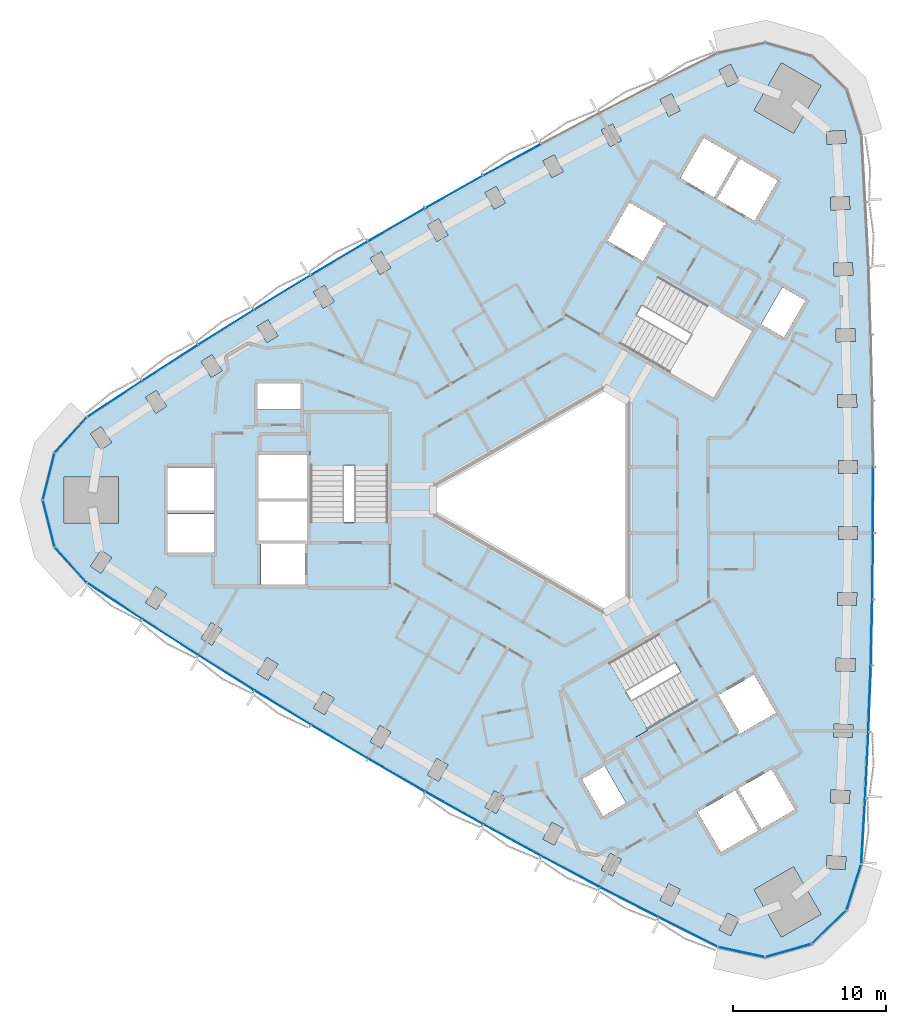
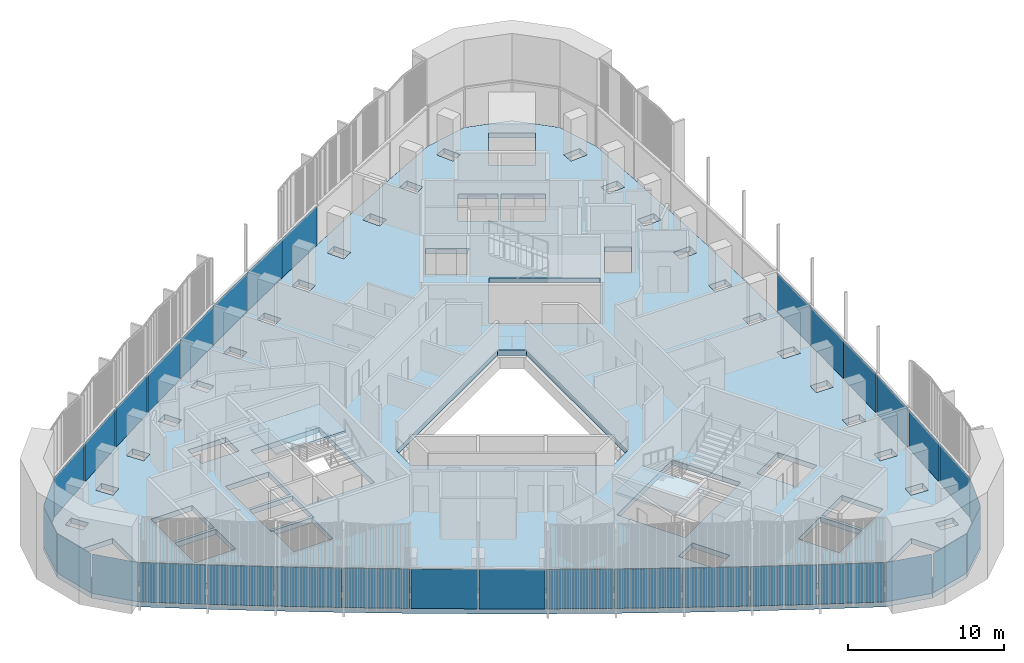
# One storey, part 6 of 15: 33 plates, 3 slabs, 5 elements without a shape of their own.
"""IFC4 building model written with IfcOpenShell, lengths in metres."""

import ifcopenshell
import ifcopenshell.guid

model = None  # the IFC model being written
_history = None  # IfcOwnerHistory: only IFC2X3 demands one
_inside = {}  # id of a spatial element -> (the spatial element, [elements in it])
_under = {}  # id of a project, library or spatial element -> (it, [spatial elements below it])
_declared = {}  # id of a project -> (the project, [libraries it declares])
_typed = {}  # id of a type object -> (the type object, [elements of that type])
_made_of = {}  # id of a material, layer set ... -> (it, [elements and type objects made of it])


def new_model(schema):
    """Start an empty IFC model of exactly this schema.

    Asked for "IFC4X3", IfcOpenShell would pick the latest addendum, in which some entities
    have other attributes; the version numbers below select the first issue.
    IFC2X3 requires an IfcOwnerHistory on every rooted entity: one is made here for all.
    """
    global model, _history
    if schema == "IFC4X3":
        model = ifcopenshell.file(schema_version=(4, 3, 0, 0))
    else:
        model = ifcopenshell.file(schema=schema)
    _inside.clear()
    _under.clear()
    _declared.clear()
    _typed.clear()
    _made_of.clear()
    _history = None
    if model.schema == "IFC2X3":
        org = make("IfcOrganization", Name="unknown")
        user = make(
            "IfcPersonAndOrganization",
            ThePerson=make("IfcPerson", FamilyName="unknown"),
            TheOrganization=org,
        )
        app = make(
            "IfcApplication",
            ApplicationDeveloper=org,
            Version="unknown",
            ApplicationFullName="unknown",
            ApplicationIdentifier="unknown",
        )
        _history = make(
            "IfcOwnerHistory",
            OwningUser=user,
            OwningApplication=app,
            ChangeAction="ADDED",
            CreationDate=0,
        )
    return model


def make(cls, **values):
    """One entity of the class cls with the attributes given. An attribute that is None is left unset."""
    return model.create_entity(
        cls, **{name: value for name, value in values.items() if value is not None}
    )


def rooted(cls, **values):
    """An entity with a GlobalId (a new one), such as an element, a storey or a relation."""
    return make(cls, GlobalId=ifcopenshell.guid.new(), OwnerHistory=_history, **values)


def si_unit(unit_type, name, prefix=None):
    """IfcSIUnit, for example si_unit("LENGTHUNIT", "METRE", prefix="MILLI")."""
    return make("IfcSIUnit", UnitType=unit_type, Prefix=prefix, Name=name)


def assignment(units):
    """IfcUnitAssignment: the units of a project."""
    return None if units is None else make("IfcUnitAssignment", Units=units)


def point(xyz):
    """IfcCartesianPoint."""
    return None if xyz is None else make("IfcCartesianPoint", Coordinates=xyz)


def direction(xyz):
    """IfcDirection."""
    return None if xyz is None else make("IfcDirection", DirectionRatios=xyz)


def frame(location, z_axis=None, x_axis=None):
    """IfcAxis2Placement3D, a coordinate frame: its origin and axes. An axis left out is left unset."""
    return make(
        "IfcAxis2Placement3D",
        Location=point(location),
        Axis=direction(z_axis),
        RefDirection=direction(x_axis),
    )


def frame_2d(location, x_axis=None):
    """IfcAxis2Placement2D, a coordinate frame in the plane: its origin and x axis."""
    return make(
        "IfcAxis2Placement2D", Location=point(location), RefDirection=direction(x_axis)
    )


def origin():
    """The frame at (0, 0, 0) with its axes left unset."""
    return frame((0.0, 0.0, 0.0))


def origin_2d():
    """The frame at (0, 0) in the plane with its x axis left unset."""
    return frame_2d((0.0, 0.0))


def place(relative_to, where):
    """IfcLocalPlacement: puts the frame where relative to a parent placement (None: the world)."""
    return make(
        "IfcLocalPlacement", PlacementRelTo=relative_to, RelativePlacement=where
    )


def context(
    kind, dimensions, precision=None, world=None, true_north=None, identifier=None
):
    """IfcGeometricRepresentationContext, for example the 3D "Model" context."""
    return make(
        "IfcGeometricRepresentationContext",
        ContextIdentifier=identifier,
        ContextType=kind,
        CoordinateSpaceDimension=dimensions,
        Precision=precision,
        WorldCoordinateSystem=world,
        TrueNorth=true_north,
    )


def subcontext(parent, identifier, kind, view, scale=None):
    """IfcGeometricRepresentationSubContext, for example "Body" below "Model"."""
    return make(
        "IfcGeometricRepresentationSubContext",
        ContextIdentifier=identifier,
        ContextType=kind,
        ParentContext=parent,
        TargetScale=scale,
        TargetView=view,
    )


def project(units=None, contexts=None):
    """IfcProject with its units and contexts."""
    return rooted(
        "IfcProject",
        Name="project",
        RepresentationContexts=contexts,
        UnitsInContext=assignment(units),
    )


def spatial(cls, under=None, at=None, **own):
    """A site, building, storey or space (cls), placed at a placement, below another one or the project."""
    s = rooted(cls, ObjectPlacement=at, **own)
    if under is not None:
        _under.setdefault(under.id(), (under, []))[1].append(s)
    return s


def polyline(points):
    """IfcPolyline through the points."""
    return make("IfcPolyline", Points=[point(p) for p in points])


def profile(cls, at=None, kind="AREA", **sizes):
    """A parametric profile (cls). Its sizes go by their IFC names, for example OverallWidth=200.0."""
    return make(cls, ProfileType=kind, Position=at, **sizes)


def rectangle(**sizes):
    """IfcRectangleProfileDef."""
    return profile("IfcRectangleProfileDef", **sizes)


def outline(outer, holes=None, kind="AREA"):
    """IfcArbitraryClosedProfileDef: a profile drawn as a closed curve; with holes, ...WithVoids."""
    if holes is None:
        return make("IfcArbitraryClosedProfileDef", ProfileType=kind, OuterCurve=outer)
    return make(
        "IfcArbitraryProfileDefWithVoids",
        ProfileType=kind,
        OuterCurve=outer,
        InnerCurves=holes,
    )


def extrude(swept, where, along, depth):
    """IfcExtrudedAreaSolid: the profile swept, set in the frame where, extruded along a direction by depth."""
    return make(
        "IfcExtrudedAreaSolid",
        SweptArea=swept,
        Position=where,
        ExtrudedDirection=direction(along),
        Depth=depth,
    )


def shape(context_of_items, identifier, shape_type, items):
    """IfcShapeRepresentation: the items that make up one representation, for example the "Body"."""
    return make(
        "IfcShapeRepresentation",
        ContextOfItems=context_of_items,
        RepresentationIdentifier=identifier,
        RepresentationType=shape_type,
        Items=items,
    )


def material(Name=None, Category=None):
    """IfcMaterial."""
    return make("IfcMaterial", Name=Name, Category=Category)


def layer(
    of_material, thickness, ventilated=None, Name=None, Category=None, Priority=None
):
    """IfcMaterialLayer: one layer of a wall or slab, of a material (None: an air gap)."""
    return make(
        "IfcMaterialLayer",
        Material=of_material,
        LayerThickness=thickness,
        IsVentilated=ventilated,
        Name=Name,
        Category=Category,
        Priority=Priority,
    )


def layer_set(layers, Name=None):
    """IfcMaterialLayerSet."""
    return make("IfcMaterialLayerSet", MaterialLayers=layers, LayerSetName=Name)


def made_of(thing, what):
    """Note that an element or type object is made of a material, layer set ...; save() writes the relation."""
    if what is not None:
        _made_of.setdefault(what.id(), (what, []))[1].append(thing)
    return thing


def type_object(cls, material=None, **own):
    """A type object (cls), such as IfcWallType, which elements share."""
    return made_of(rooted(cls, **own), material)


def element(
    cls,
    number,
    at=None,
    inside=None,
    cuts=None,
    type_object=None,
    material=None,
    context=None,
    identifier="Body",
    shape_type=None,
    held_by="IfcProductDefinitionShape",
    body=None,
    shapes=None,
    **own,
):
    """One element of the class cls, such as IfcWall. Its Tag is "e" and its number.

    at: its placement. inside: the storey or other place that contains it. cuts: it is an
    opening in that element (IfcRelVoidsElement). A single representation is given by context,
    identifier, shape_type and body (its items); several are given by shapes. held_by: the class
    of the entity that holds the representations. save() writes the other relations.
    """
    e = rooted(cls, Tag="e%d" % number, ObjectPlacement=at, **own)
    if body is not None:
        shapes = [shape(context, identifier, shape_type, body)]
    if shapes is not None:
        e.Representation = make(held_by, Representations=shapes)
    if inside is not None:
        _inside.setdefault(inside.id(), (inside, []))[1].append(e)
    if cuts is not None:
        rooted(
            "IfcRelVoidsElement", RelatingBuildingElement=cuts, RelatedOpeningElement=e
        )
    if type_object is not None:
        _typed.setdefault(type_object.id(), (type_object, []))[1].append(e)
    return made_of(e, material)


def aggregate(whole, parts):
    """IfcRelAggregates: a whole, such as a stair, and the parts it consists of."""
    return rooted("IfcRelAggregates", RelatingObject=whole, RelatedObjects=parts)


def save(model, path):
    """Write the relations noted so far, then the file.

    IfcRelAggregates (storeys below a building ...), IfcRelContainedInSpatialStructure (elements
    in a storey), IfcRelDefinesByType, IfcRelAssociatesMaterial and IfcRelDeclares: one each for
    every whole, place, type object, material and project.
    """
    for whole, parts in _under.values():
        aggregate(whole, parts)
    for where, things in _inside.values():
        rooted(
            "IfcRelContainedInSpatialStructure",
            RelatedElements=things,
            RelatingStructure=where,
        )
    for kind, things in _typed.values():
        rooted("IfcRelDefinesByType", RelatedObjects=things, RelatingType=kind)
    for what, things in _made_of.values():
        rooted("IfcRelAssociatesMaterial", RelatedObjects=things, RelatingMaterial=what)
    for by, libraries in _declared.values():
        rooted("IfcRelDeclares", RelatingContext=by, RelatedDefinitions=libraries)
    model.write(path)


model = new_model("IFC4")

# Units and contexts
model_context = context("Model", 3, precision=1e-05, world=origin(), true_north=direction((0.0, 1.0)))
body_context = subcontext(model_context, "Body", "Model", "MODEL_VIEW")
ifc_project = project(units=[si_unit("LENGTHUNIT", "METRE"), si_unit("AREAUNIT", "SQUARE_METRE"), si_unit("VOLUMEUNIT", "CUBIC_METRE"), si_unit("PLANEANGLEUNIT", "RADIAN"), si_unit("MASSUNIT", "GRAM", prefix="KILO")], contexts=[model_context])

# Site, building, storey
site_placement = place(None, origin())
site = spatial("IfcSite", under=ifc_project, at=site_placement, CompositionType="ELEMENT")
building_placement = place(site_placement, origin())
building = spatial("IfcBuilding", under=site, at=building_placement, Name="Tamra Quay Hotel Tower", CompositionType="ELEMENT")
storey_placement = place(building_placement, frame((0.0, 0.0, 157.60009765625)))
storey = spatial("IfcBuildingStorey", under=building, at=storey_placement, Name="L39", CompositionType="ELEMENT", Elevation=157.60009765625)

# Stair, slab
ifc_material_1 = material(Name="Exit stair 2200 24 risers 150.0 going 342")
stair_type = type_object("IfcStairType", Name="Exit stair 2200 24 risers 150.0 going 342", PredefinedType="HALF_TURN_STAIR", material=ifc_material_1)
stair_1_placement = place(storey_placement, origin())
stair_1 = element("IfcStair", 1, at=stair_1_placement, inside=storey, type_object=stair_type, Name="L39 Exit stair ST3", PredefinedType="HALF_TURN_STAIR")
ifc_material_2 = material(Name="Concrete M70", Category="concrete")
ifc_layer_1 = layer(ifc_material_2, 0.175048828125)
ifc_layer_set_1 = layer_set([ifc_layer_1], Name="Concrete M70 stair landing 180")
slab_type_1 = type_object("IfcSlabType", Name="Concrete M70 stair landing 180", PredefinedType="LANDING", material=ifc_layer_set_1)
slab_1_placement = place(storey_placement, frame((0.0, 0.0, 1.625)))
slab_1 = element("IfcSlab", 2, at=slab_1_placement, type_object=slab_type_1, Name="ST3 landing 1", PredefinedType="LANDING", context=body_context, shape_type="SweptSolid", body=[
    extrude(outline(polyline([(-10.932373046875, 2.261962890625), (-10.932373046875, 5.679931640625), (-16.09130859375, 5.679931640625), (-16.09130859375, 2.261962890625), (-10.932373046875, 2.261962890625)])), origin(), (0.0, 0.0, 1.0), 0.1748046875),
])
aggregate(stair_1, [slab_1])

stair_2_placement = place(storey_placement, origin())
stair_2 = element("IfcStair", 3, at=stair_2_placement, inside=storey, type_object=stair_type, Name="L39 Exit stair ST2", PredefinedType="HALF_TURN_STAIR")
slab_2_placement = place(storey_placement, frame((0.0, 0.0, 1.625)))
slab_2 = element("IfcSlab", 4, at=slab_2_placement, type_object=slab_type_1, Name="ST2 landing 1", PredefinedType="LANDING", context=body_context, shape_type="SweptSolid", body=[
    extrude(outline(polyline([(3.50732421875, -10.5986328125), (0.547119140625, -12.3076171875), (3.126708984375, -16.775390625), (6.086669921875, -15.06640625), (3.50732421875, -10.5986328125)])), origin(), (0.0, 0.0, 1.0), 0.1748046875),
])
aggregate(stair_2, [slab_2])

# Slab
ifc_material_3 = material(Name="Concrete M60", Category="concrete")
ifc_layer_2 = layer(ifc_material_3, 0.39990234375)
ifc_layer_set_2 = layer_set([ifc_layer_2], Name="FLOOR SLAB PT 400")
slab_type_2 = type_object("IfcSlabType", Name="FLOOR SLAB PT 400", PredefinedType="FLOOR", material=ifc_layer_set_2)
slab_3_placement = place(storey_placement, frame((0.0, 0.0, -0.400146484375)))
element("IfcSlab", 5, at=slab_3_placement, inside=storey, type_object=slab_type_2, Name="SLAB-L39", PredefinedType="FLOOR", context=body_context, shape_type="SweptSolid", body=[
    extrude(outline(polyline([(20.301025390625, 19.53076171875), (20.50830078125, 15.19384765625), (20.6640625, 10.85400390625), (20.767822265625, 6.5126953125), (20.81982421875, 2.17138671875), (20.81982421875, -2.17138671875), (20.767822265625, -6.5126953125), (20.6640625, -10.85400390625), (20.50830078125, -15.19384765625), (20.301025390625, -19.53076171875), (20.0419921875, -23.864990234375), (19.072265625, -26.883544921875), (16.794189453125, -29.088134765625), (13.74560546875, -29.958740234375), (10.646728515625, -29.28955078125), (6.763427734375, -27.3466796875), (2.904052734375, -25.35791015625), (-0.93212890625, -23.32275390625), (-4.74365234375, -21.24169921875), (-8.529541015625, -19.1162109375), (-12.290283203125, -16.94482421875), (-16.024169921875, -14.72900390625), (-19.73193359375, -12.468505859375), (-23.41259765625, -10.163818359375), (-27.064697265625, -7.81591796875), (-30.688720703125, -5.42431640625), (-32.81787109375, -3.0751953125), (-33.588134765625, 0.0), (-32.81787109375, 3.0751953125), (-30.688720703125, 5.42431640625), (-27.064697265625, 7.81591796875), (-23.41259765625, 10.163818359375), (-19.73193359375, 12.468505859375), (-16.024169921875, 14.72900390625), (-12.290283203125, 16.94482421875), (-8.529541015625, 19.1162109375), (-4.74365234375, 21.24169921875), (-0.93212890625, 23.32275390625), (2.904052734375, 25.35791015625), (6.763427734375, 27.3466796875), (10.646728515625, 29.28955078125), (13.74560546875, 29.958740234375), (16.794189453125, 29.088134765625), (19.072265625, 26.883544921875), (20.0419921875, 23.864990234375), (20.301025390625, 19.53076171875)]), holes=[polyline([(-12.1396484375, -15.846435546875), (-11.406005859375, -16.27587890625), (-10.7744140625, -15.197265625), (-11.5078125, -14.767578125), (-12.1396484375, -15.846435546875)]), polyline([(-15.216796875, -12.561279296875), (-15.86083984375, -13.632568359375), (-15.13232421875, -14.0703125), (-14.48828125, -12.9990234375), (-15.216796875, -12.561279296875)]), polyline([(-18.898193359375, -10.310791015625), (-19.55517578125, -11.3740234375), (-18.83203125, -11.82080078125), (-18.175048828125, -10.757568359375), (-18.898193359375, -10.310791015625)]), polyline([(-22.55224609375, -8.016357421875), (-23.222412109375, -9.071533203125), (-22.5048828125, -9.527099609375), (-21.834716796875, -8.471923828125), (-22.55224609375, -8.016357421875)]), polyline([(-26.179931640625, -5.678466796875), (-26.862060546875, -6.725830078125), (-26.149658203125, -7.189697265625), (-25.467529296875, -6.142333984375), (-26.179931640625, -5.678466796875)]), polyline([(-16.3173828125, -2.85498046875), (-19.4072265625, -2.85498046875), (-19.4072265625, -2.89306640625), (-19.307373046875, -2.89306640625), (-19.307373046875, -5.544921875), (-16.417236328125, -5.544921875), (-16.417236328125, -2.89306640625), (-16.3173828125, -2.89306640625), (-16.3173828125, -2.85498046875)]), polyline([(-29.77880859375, -3.297607421875), (-30.473388671875, -4.3369140625), (-29.7666015625, -4.80908203125), (-29.072021484375, -3.77001953125), (-29.77880859375, -3.297607421875)]), polyline([(-22.3671875, -0.905029296875), (-25.4072265625, -0.905029296875), (-25.4072265625, -3.445068359375), (-22.3671875, -3.445068359375), (-22.3671875, -0.905029296875)]), polyline([(-19.417236328125, -2.89306640625), (-19.417236328125, -2.64501953125), (-16.307373046875, -2.64501953125), (-16.307373046875, -2.89306640625), (-16.26708984375, -2.89306640625), (-16.26708984375, -0.10498046875), (-19.45751953125, -0.10498046875), (-19.45751953125, -2.89306640625), (-19.417236328125, -2.89306640625)]), polyline([(-28.6142578125, 1.5), (-32.214111328125, 1.5), (-32.214111328125, -1.5), (-28.6142578125, -1.5), (-28.6142578125, 1.5)]), polyline([(-25.4072265625, -0.695068359375), (-22.3671875, -0.695068359375), (-22.3671875, 2.14501953125), (-25.4072265625, 2.14501953125), (-25.4072265625, -0.695068359375)]), polyline([(-19.45751953125, 0.10498046875), (-16.26708984375, 0.10498046875), (-16.26708984375, 2.945068359375), (-19.45751953125, 2.945068359375), (-19.45751953125, 0.10498046875)]), polyline([(-16.036376953125, -1.455078125), (-10.9873046875, -1.455078125), (-10.9873046875, 5.625), (-16.036376953125, 5.625), (-16.036376953125, -1.455078125)]), polyline([(-29.072021484375, 3.77001953125), (-29.7666015625, 4.80908203125), (-30.473388671875, 4.3369140625), (-29.77880859375, 3.297607421875), (-29.072021484375, 3.77001953125)]), polyline([(-26.149658203125, 7.189697265625), (-26.862060546875, 6.725830078125), (-26.179931640625, 5.678466796875), (-25.467529296875, 6.142333984375), (-26.149658203125, 7.189697265625)]), polyline([(-16.71728515625, 7.64501953125), (-19.50732421875, 7.64501953125), (-19.50732421875, 5.9150390625), (-16.71728515625, 5.9150390625), (-16.71728515625, 7.64501953125)]), polyline([(-21.834716796875, 8.471923828125), (-22.5048828125, 9.527099609375), (-23.222412109375, 9.071533203125), (-22.55224609375, 8.016357421875), (-21.834716796875, 8.471923828125)]), polyline([(-18.175048828125, 10.757568359375), (-18.83203125, 11.82080078125), (-19.55517578125, 11.3740234375), (-18.898193359375, 10.310791015625), (-18.175048828125, 10.757568359375)]), polyline([(-14.48828125, 12.9990234375), (-15.13232421875, 14.0703125), (-15.86083984375, 13.632568359375), (-15.216796875, 12.561279296875), (-14.48828125, 12.9990234375)]), polyline([(7.414306640625, -25.126708984375), (6.848388671875, -26.2412109375), (7.606201171875, -26.626220703125), (8.17236328125, -25.51171875), (7.414306640625, -25.126708984375)]), polyline([(3.580322265625, -23.1455078125), (3.00146484375, -24.25341796875), (3.7548828125, -24.64697265625), (4.333740234375, -23.5390625), (3.580322265625, -23.1455078125)]), polyline([(-0.821044921875, -22.219482421875), (-0.072509765625, -22.622314453125), (0.519775390625, -21.521484375), (-0.228759765625, -21.118896484375), (-0.821044921875, -22.219482421875)]), polyline([(13.3056640625, -21.65576171875), (11.78564453125, -19.02294921875), (9.325927734375, -20.443115234375), (10.845947265625, -23.075927734375), (13.3056640625, -21.65576171875)]), polyline([(-4.01318359375, -19.046875), (-4.619140625, -20.14013671875), (-3.875732421875, -20.55224609375), (-3.269775390625, -19.458740234375), (-4.01318359375, -19.046875)]), polyline([(1.73779296875, -18.300048828125), (3.1328125, -20.71630859375), (4.631103515625, -19.851318359375), (3.236083984375, -17.43505859375), (1.73779296875, -18.300048828125)]), polyline([(-7.77392578125, -16.9296875), (-8.392333984375, -18.01611328125), (-7.653564453125, -18.436279296875), (-7.035400390625, -17.35009765625), (-7.77392578125, -16.9296875)]), polyline([(9.2783203125, -13.160400390625), (6.75390625, -8.78759765625), (0.622314453125, -12.32763671875), (3.146728515625, -16.7001953125), (9.2783203125, -13.160400390625)]), polyline([(3.199951171875, 7.39013671875), (-8.0, 0.923828125), (-8.0, -0.923828125), (3.199951171875, -7.39013671875), (4.800048828125, -6.46630859375), (4.800048828125, 6.46630859375), (3.199951171875, 7.39013671875)]), polyline([(4.2333984375, 10.242919921875), (10.364990234375, 6.702880859375), (12.889404296875, 11.075439453125), (6.758056640625, 14.615478515625), (4.2333984375, 10.242919921875)]), polyline([(-10.7744140625, 15.197265625), (-11.406005859375, 16.27587890625), (-12.1396484375, 15.846435546875), (-11.5078125, 14.767578125), (-10.7744140625, 15.197265625)]), polyline([(5.736083984375, 15.645263671875), (7.111083984375, 18.02685546875), (7.19775390625, 17.976806640625), (7.267578125, 18.09814453125), (4.8515625, 19.4931640625), (3.406494140625, 16.990234375), (5.736083984375, 15.645263671875)]), polyline([(-7.035400390625, 17.35009765625), (-7.653564453125, 18.436279296875), (-8.392333984375, 18.01611328125), (-7.77392578125, 16.9296875), (-7.035400390625, 17.35009765625)]), polyline([(-3.269775390625, 19.458740234375), (-3.875732421875, 20.55224609375), (-4.619140625, 20.14013671875), (-4.01318359375, 19.046875), (-3.269775390625, 19.458740234375)]), polyline([(8.2001953125, 21.093017578125), (10.39990234375, 19.822998046875), (11.919921875, 22.455810546875), (9.72021484375, 23.725830078125), (8.2001953125, 21.093017578125)]), polyline([(0.519775390625, 21.521484375), (-0.072509765625, 22.622314453125), (-0.821044921875, 22.219482421875), (-0.228759765625, 21.118896484375), (0.519775390625, 21.521484375)]), polyline([(3.7548828125, 24.64697265625), (3.00146484375, 24.25341796875), (3.580322265625, 23.1455078125), (4.333740234375, 23.5390625), (3.7548828125, 24.64697265625)]), polyline([(8.17236328125, 25.51171875), (7.606201171875, 26.626220703125), (6.848388671875, 26.2412109375), (7.414306640625, 25.126708984375), (8.17236328125, 25.51171875)]), polyline([(12.03369140625, 27.43798828125), (11.480712890625, 28.55908203125), (10.718505859375, 28.18310546875), (11.271240234375, 27.06201171875), (12.03369140625, 27.43798828125)]), polyline([(11.271240234375, -27.06201171875), (10.718505859375, -28.18310546875), (11.480712890625, -28.55908203125), (12.03369140625, -27.43798828125), (11.271240234375, -27.06201171875)]), polyline([(13.008056640625, -25.53076171875), (14.80810546875, -28.648193359375), (17.406005859375, -27.148193359375), (15.606201171875, -24.03076171875), (13.008056640625, -25.53076171875)]), polyline([(17.7451171875, -24.140380859375), (18.99267578125, -24.22216796875), (19.048095703125, -23.3740234375), (17.80078125, -23.292236328125), (17.7451171875, -24.140380859375)]), polyline([(14.1669921875, -17.648193359375), (11.96728515625, -18.91796875), (13.487548828125, -21.55078125), (15.68701171875, -20.281005859375), (14.1669921875, -17.648193359375)]), polyline([(19.255859375, -19.900146484375), (19.301513671875, -19.051513671875), (18.05322265625, -18.984375), (18.007568359375, -19.833251953125), (19.255859375, -19.900146484375)]), polyline([(18.218505859375, -15.5224609375), (19.46728515625, -15.5751953125), (19.50341796875, -14.72607421875), (18.25439453125, -14.67333984375), (18.218505859375, -15.5224609375)]), polyline([(10.68115234375, -12.790283203125), (12.05615234375, -15.171875), (11.969482421875, -15.2216796875), (12.03955078125, -15.343017578125), (14.455810546875, -13.947998046875), (13.0107421875, -11.4453125), (10.68115234375, -12.790283203125)]), polyline([(18.37841796875, -11.2109375), (19.627685546875, -11.248291015625), (19.6533203125, -10.398681640625), (18.40380859375, -10.361328125), (18.37841796875, -11.2109375)]), polyline([(18.48681640625, -6.897705078125), (19.736572265625, -6.919677734375), (19.75146484375, -6.06982421875), (18.501708984375, -6.0478515625), (18.48681640625, -6.897705078125)]), polyline([(18.543212890625, -2.582275390625), (19.793212890625, -2.590087890625), (19.79833984375, -1.739990234375), (18.54833984375, -1.732421875), (18.543212890625, -2.582275390625)]), polyline([(18.54833984375, 1.732421875), (19.79833984375, 1.739990234375), (19.793212890625, 2.590087890625), (18.543212890625, 2.582275390625), (18.54833984375, 1.732421875)]), polyline([(18.501708984375, 6.0478515625), (19.75146484375, 6.06982421875), (19.736572265625, 6.919677734375), (18.48681640625, 6.897705078125), (18.501708984375, 6.0478515625)]), polyline([(18.40380859375, 10.361328125), (19.6533203125, 10.398681640625), (19.627685546875, 11.248291015625), (18.37841796875, 11.2109375), (18.40380859375, 10.361328125)]), polyline([(14.9794921875, 10.655029296875), (16.37451171875, 13.0712890625), (14.876220703125, 13.936279296875), (13.481201171875, 11.52001953125), (14.9794921875, 10.655029296875)]), polyline([(18.25439453125, 14.67333984375), (19.50341796875, 14.72607421875), (19.46728515625, 15.5751953125), (18.218505859375, 15.5224609375), (18.25439453125, 14.67333984375)]), polyline([(18.05322265625, 18.984375), (19.301513671875, 19.051513671875), (19.255859375, 19.900146484375), (18.007568359375, 19.833251953125), (18.05322265625, 18.984375)]), polyline([(12.101806640625, 22.350830078125), (10.58154296875, 19.718017578125), (13.041259765625, 18.298095703125), (14.561279296875, 20.930908203125), (12.101806640625, 22.350830078125)]), polyline([(17.80078125, 23.292236328125), (19.048095703125, 23.3740234375), (18.99267578125, 24.22216796875), (17.7451171875, 24.140380859375), (17.80078125, 23.292236328125)]), polyline([(15.606201171875, 24.03076171875), (17.406005859375, 27.148193359375), (14.80810546875, 28.648193359375), (13.008056640625, 25.53076171875), (15.606201171875, 24.03076171875)])]), origin(), (0.0, 0.0, 1.0), 0.400146484375),
])

# Curtain wall, plates
ifc_material_4 = material(Name="Aluminium 6063 anodised dark grey", Category="aluminium")
curtain_wall_type_1 = type_object("IfcCurtainWallType", Name="CW1 CURTAIN WALL", PredefinedType="NOTDEFINED", material=ifc_material_4)
curtain_wall_1_placement = place(storey_placement, origin())
curtain_wall_1 = element("IfcCurtainWall", 6, at=curtain_wall_1_placement, inside=storey, type_object=curtain_wall_type_1, Name="CW1 east face L39", PredefinedType="NOTDEFINED")
ifc_material_5 = material(Name="Glass clear laminated low-iron", Category="glass")
ifc_layer_3 = layer(ifc_material_5, 0.031982421875)
ifc_layer_set_3 = layer_set([ifc_layer_3], Name="GLASS PANEL CW1 Z3")
plate_type_1 = type_object("IfcPlateType", Name="GLASS PANEL CW1 Z3", PredefinedType="CURTAIN_PANEL", material=ifc_layer_set_3)
plate_1_placement = place(storey_placement, frame((20.171630859375, -21.697998046875, -0.000244140625), z_axis=(0.0, 0.0, 1.0), x_axis=(0.05964191564, 0.998219836458, 0.0)))
plate_1 = element("IfcPlate", 7, at=plate_1_placement, type_object=plate_type_1, Name="CW1 glass L39.E.1", PredefinedType="CURTAIN_PANEL", context=body_context, shape_type="SweptSolid", body=[
    extrude(rectangle(XDim=4.2421875, YDim=0.031982421875, at=origin_2d()), origin(), (0.0, 0.0, 1.0), 3.06005859375),
])
plate_2_placement = place(storey_placement, frame((20.40478515625, -17.3623046875, -0.000244140625), z_axis=(0.0, 0.0, 1.0), x_axis=(0.04774710654, 0.998859456489, 0.0)))
plate_2 = element("IfcPlate", 8, at=plate_2_placement, type_object=plate_type_1, Name="CW1 glass L39.E.2", PredefinedType="CURTAIN_PANEL", context=body_context, shape_type="SweptSolid", body=[
    extrude(rectangle(XDim=4.24169921875, YDim=0.031982421875, at=origin_2d()), origin(), (0.0, 0.0, 1.0), 3.06005859375),
])
plate_3_placement = place(storey_placement, frame((20.586181640625, -13.02392578125, -0.000244140625), z_axis=(0.0, 0.0, 1.0), x_axis=(0.03584493651, 0.999357363773, 0.0)))
plate_3 = element("IfcPlate", 9, at=plate_3_placement, type_object=plate_type_1, Name="CW1 glass L39.E.3", PredefinedType="CURTAIN_PANEL", context=body_context, shape_type="SweptSolid", body=[
    extrude(rectangle(XDim=4.24267578125, YDim=0.031982421875, at=origin_2d()), origin(), (0.0, 0.0, 1.0), 3.06005859375),
])
plate_4_placement = place(storey_placement, frame((20.716064453125, -8.683349609375, -0.000244140625), z_axis=(0.0, 0.0, 1.0), x_axis=(0.023896183128, 0.999714445445, 0.0)))
plate_4 = element("IfcPlate", 10, at=plate_4_placement, type_object=plate_type_1, Name="CW1 glass L39.E.4", PredefinedType="CURTAIN_PANEL", context=body_context, shape_type="SweptSolid", body=[
    extrude(rectangle(XDim=4.24267578125, YDim=0.031982421875, at=origin_2d()), origin(), (0.0, 0.0, 1.0), 3.06005859375),
])
plate_5_placement = place(storey_placement, frame((20.793701171875, -4.342041015625, -0.000244140625), z_axis=(0.0, 0.0, 1.0), x_axis=(0.011957026787, 0.9999285122, 0.0)))
plate_5 = element("IfcPlate", 11, at=plate_5_placement, type_object=plate_type_1, Name="CW1 glass L39.E.5", PredefinedType="CURTAIN_PANEL", context=body_context, shape_type="SweptSolid", body=[
    extrude(rectangle(XDim=4.24169921875, YDim=0.031982421875, at=origin_2d()), origin(), (0.0, 0.0, 1.0), 3.06005859375),
])
plate_6_placement = place(storey_placement, frame((20.81982421875, 0.0, -0.000244140625), z_axis=(0.0, 0.0, 1.0), x_axis=(0.0, 1.0, 0.0)))
plate_6 = element("IfcPlate", 12, at=plate_6_placement, type_object=plate_type_1, Name="CW1 glass L39.E.6", PredefinedType="CURTAIN_PANEL", context=body_context, shape_type="SweptSolid", body=[
    extrude(rectangle(XDim=4.24267578125, YDim=0.031982421875, at=origin_2d()), origin(), (0.0, 0.0, 1.0), 3.06005859375),
])
aggregate(curtain_wall_1, [plate_1, plate_2, plate_3, plate_4, plate_5, plate_6])

curtain_wall_type_2 = type_object("IfcCurtainWallType", Name="CW2 CURTAIN WALL", PredefinedType="NOTDEFINED", material=ifc_material_4)
curtain_wall_2_placement = place(storey_placement, origin())
curtain_wall_2 = element("IfcCurtainWall", 13, at=curtain_wall_2_placement, inside=storey, type_object=curtain_wall_type_2, Name="CW2 north-west face L39", PredefinedType="NOTDEFINED")
ifc_layer_4 = layer(ifc_material_5, 0.031982421875)
ifc_layer_set_4 = layer_set([ifc_layer_4], Name="GLASS PANEL CW2 Z3")
plate_type_2 = type_object("IfcPlateType", Name="GLASS PANEL CW2 Z3", PredefinedType="CURTAIN_PANEL", material=ifc_layer_set_4)
plate_7_placement = place(storey_placement, frame((-2.837890625, 22.2822265625, -0.000244140625), z_axis=(0.0, 0.0, 1.0), x_axis=(-0.87772619785, -0.47916252108, 0.0)))
plate_7 = element("IfcPlate", 14, at=plate_7_placement, type_object=plate_type_2, Name="CW2 glass L39.NW.4", PredefinedType="CURTAIN_PANEL", context=body_context, shape_type="SweptSolid", body=[
    extrude(rectangle(XDim=4.24267578125, YDim=0.031982421875, at=origin_2d()), origin(), (0.0, 0.0, 1.0), 3.06005859375),
])
plate_8_placement = place(storey_placement, frame((-6.636474609375, 20.178955078125, -0.000244140625), z_axis=(0.0, 0.0, 1.0), x_axis=(-0.871942006927, -0.489609167149, 0.0)))
plate_8 = element("IfcPlate", 15, at=plate_8_placement, type_object=plate_type_2, Name="CW2 glass L39.NW.5", PredefinedType="CURTAIN_PANEL", context=body_context, shape_type="SweptSolid", body=[
    extrude(rectangle(XDim=4.24169921875, YDim=0.031982421875, at=origin_2d()), origin(), (0.0, 0.0, 1.0), 3.06005859375),
])
plate_9_placement = place(storey_placement, frame((-10.409912109375, 18.030517578125, -0.000244140625), z_axis=(0.0, 0.0, 1.0), x_axis=(-0.866025403784, -0.5, 0.0)))
plate_9 = element("IfcPlate", 16, at=plate_9_placement, type_object=plate_type_2, Name="CW2 glass L39.NW.6", PredefinedType="CURTAIN_PANEL", context=body_context, shape_type="SweptSolid", body=[
    extrude(rectangle(XDim=4.24267578125, YDim=0.031982421875, at=origin_2d()), origin(), (0.0, 0.0, 1.0), 3.06005859375),
])
plate_10_placement = place(storey_placement, frame((-14.1572265625, 15.8369140625, -0.000244140625), z_axis=(0.0, 0.0, 1.0), x_axis=(-0.85998498014, -0.510319345051, 0.0)))
plate_10 = element("IfcPlate", 17, at=plate_10_placement, type_object=plate_type_2, Name="CW2 glass L39.NW.7", PredefinedType="CURTAIN_PANEL", context=body_context, shape_type="SweptSolid", body=[
    extrude(rectangle(XDim=4.24169921875, YDim=0.031982421875, at=origin_2d()), origin(), (0.0, 0.0, 1.0), 3.06005859375),
])
plate_11_placement = place(storey_placement, frame((-17.8779296875, 13.598876953125, -0.000244140625), z_axis=(0.0, 0.0, 1.0), x_axis=(-0.853830014722, -0.520551924365, 0.0)))
plate_11 = element("IfcPlate", 18, at=plate_11_placement, type_object=plate_type_2, Name="CW2 glass L39.NW.8", PredefinedType="CURTAIN_PANEL", context=body_context, shape_type="SweptSolid", body=[
    extrude(rectangle(XDim=4.24267578125, YDim=0.031982421875, at=origin_2d()), origin(), (0.0, 0.0, 1.0), 3.06005859375),
])
plate_12_placement = place(storey_placement, frame((-21.572265625, 11.316162109375, -0.000244140625), z_axis=(0.0, 0.0, 1.0), x_axis=(-0.847546396231, -0.530721307501, 0.0)))
plate_12 = element("IfcPlate", 19, at=plate_12_placement, type_object=plate_type_2, Name="CW2 glass L39.NW.9", PredefinedType="CURTAIN_PANEL", context=body_context, shape_type="SweptSolid", body=[
    extrude(rectangle(XDim=4.24267578125, YDim=0.031982421875, at=origin_2d()), origin(), (0.0, 0.0, 1.0), 3.06005859375),
])
plate_13_placement = place(storey_placement, frame((-25.238525390625, 8.989990234375, -0.000244140625), z_axis=(0.0, 0.0, 1.0), x_axis=(-0.841164110859, -0.540779935465, 0.0)))
plate_13 = element("IfcPlate", 20, at=plate_13_placement, type_object=plate_type_2, Name="CW2 glass L39.NW.10", PredefinedType="CURTAIN_PANEL", context=body_context, shape_type="SweptSolid", body=[
    extrude(rectangle(XDim=4.24169921875, YDim=0.031982421875, at=origin_2d()), origin(), (0.0, 0.0, 1.0), 3.06005859375),
])
plate_14_placement = place(storey_placement, frame((-28.876708984375, 6.6201171875, -0.000244140625), z_axis=(0.0, 0.0, 1.0), x_axis=(-0.834662779115, -0.550761332303, 0.0)))
plate_14 = element("IfcPlate", 21, at=plate_14_placement, type_object=plate_type_2, Name="CW2 glass L39.NW.11", PredefinedType="CURTAIN_PANEL", context=body_context, shape_type="SweptSolid", body=[
    extrude(rectangle(XDim=4.2421875, YDim=0.031982421875, at=origin_2d()), origin(), (0.0, 0.0, 1.0), 3.06005859375),
])
plate_15_placement = place(storey_placement, frame((-31.75341796875, 4.25, -0.000244140625), z_axis=(0.0, 0.0, 1.0), x_axis=(-0.671549804177, -0.740959418936, 0.0)))
plate_15 = element("IfcPlate", 22, at=plate_15_placement, type_object=plate_type_2, Name="CW2 glass L39.NW.12", PredefinedType="CURTAIN_PANEL", context=body_context, shape_type="SweptSolid", body=[
    extrude(rectangle(XDim=3.0703125, YDim=0.031982421875, at=origin_2d()), origin(), (0.0, 0.0, 1.0), 3.06005859375),
])
plate_16_placement = place(storey_placement, frame((-33.203125, 1.53759765625, -0.000244140625), z_axis=(0.0, 0.0, 1.0), x_axis=(-0.242976186667, -0.970032253439, 0.0)))
plate_16 = element("IfcPlate", 23, at=plate_16_placement, type_object=plate_type_2, Name="CW2 glass L39.NW.13", PredefinedType="CURTAIN_PANEL", context=body_context, shape_type="SweptSolid", body=[
    extrude(rectangle(XDim=3.0703125, YDim=0.031982421875, at=origin_2d()), origin(), (0.0, 0.0, 1.0), 3.06005859375),
])
plate_17_placement = place(storey_placement, frame((-33.203125, -1.53759765625, -0.000244140625), z_axis=(0.0, 0.0, 1.0), x_axis=(0.242976186667, -0.970032253439, 0.0)))
plate_17 = element("IfcPlate", 24, at=plate_17_placement, type_object=plate_type_2, Name="CW2 glass L39.NW.14", PredefinedType="CURTAIN_PANEL", context=body_context, shape_type="SweptSolid", body=[
    extrude(rectangle(XDim=3.0703125, YDim=0.031982421875, at=origin_2d()), origin(), (0.0, 0.0, 1.0), 3.06005859375),
])
plate_18_placement = place(storey_placement, frame((-31.75341796875, -4.25, -0.000244140625), z_axis=(0.0, 0.0, 1.0), x_axis=(0.671549804177, -0.740959418936, 0.0)))
plate_18 = element("IfcPlate", 25, at=plate_18_placement, type_object=plate_type_2, Name="CW2 glass L39.NW.15", PredefinedType="CURTAIN_PANEL", context=body_context, shape_type="SweptSolid", body=[
    extrude(rectangle(XDim=3.0703125, YDim=0.031982421875, at=origin_2d()), origin(), (0.0, 0.0, 1.0), 3.06005859375),
])
aggregate(curtain_wall_2, [plate_7, plate_8, plate_9, plate_10, plate_11, plate_12, plate_13, plate_14, plate_15, plate_16, plate_17, plate_18])

curtain_wall_type_3 = type_object("IfcCurtainWallType", Name="CW3 CURTAIN WALL", PredefinedType="NOTDEFINED", material=ifc_material_4)
curtain_wall_3_placement = place(storey_placement, origin())
curtain_wall_3 = element("IfcCurtainWall", 26, at=curtain_wall_3_placement, inside=storey, type_object=curtain_wall_type_3, Name="CW3 south-west face L39", PredefinedType="NOTDEFINED")
ifc_layer_5 = layer(ifc_material_5, 0.031982421875)
ifc_layer_set_5 = layer_set([ifc_layer_5], Name="GLASS PANEL CW3 Z3")
plate_type_3 = type_object("IfcPlateType", Name="GLASS PANEL CW3 Z3", PredefinedType="CURTAIN_PANEL", material=ifc_layer_set_5)
plate_19_placement = place(storey_placement, frame((-28.876708984375, -6.6201171875, -0.000244140625), z_axis=(0.0, 0.0, 1.0), x_axis=(0.834662779115, -0.550761332303, 0.0)))
plate_19 = element("IfcPlate", 27, at=plate_19_placement, type_object=plate_type_3, Name="CW3 glass L39.SW.1", PredefinedType="CURTAIN_PANEL", context=body_context, shape_type="SweptSolid", body=[
    extrude(rectangle(XDim=4.2421875, YDim=0.031982421875, at=origin_2d()), origin(), (0.0, 0.0, 1.0), 3.06005859375),
])
plate_20_placement = place(storey_placement, frame((-25.238525390625, -8.989990234375, -0.000244140625), z_axis=(0.0, 0.0, 1.0), x_axis=(0.841164110859, -0.540779935465, 0.0)))
plate_20 = element("IfcPlate", 28, at=plate_20_placement, type_object=plate_type_3, Name="CW3 glass L39.SW.2", PredefinedType="CURTAIN_PANEL", context=body_context, shape_type="SweptSolid", body=[
    extrude(rectangle(XDim=4.24169921875, YDim=0.031982421875, at=origin_2d()), origin(), (0.0, 0.0, 1.0), 3.06005859375),
])
plate_21_placement = place(storey_placement, frame((-21.572265625, -11.316162109375, -0.000244140625), z_axis=(0.0, 0.0, 1.0), x_axis=(0.847546396231, -0.530721307501, 0.0)))
plate_21 = element("IfcPlate", 29, at=plate_21_placement, type_object=plate_type_3, Name="CW3 glass L39.SW.3", PredefinedType="CURTAIN_PANEL", context=body_context, shape_type="SweptSolid", body=[
    extrude(rectangle(XDim=4.24267578125, YDim=0.031982421875, at=origin_2d()), origin(), (0.0, 0.0, 1.0), 3.06005859375),
])
plate_22_placement = place(storey_placement, frame((-17.8779296875, -13.598876953125, -0.000244140625), z_axis=(0.0, 0.0, 1.0), x_axis=(0.853830014722, -0.520551924365, 0.0)))
plate_22 = element("IfcPlate", 30, at=plate_22_placement, type_object=plate_type_3, Name="CW3 glass L39.SW.4", PredefinedType="CURTAIN_PANEL", context=body_context, shape_type="SweptSolid", body=[
    extrude(rectangle(XDim=4.24267578125, YDim=0.031982421875, at=origin_2d()), origin(), (0.0, 0.0, 1.0), 3.06005859375),
])
plate_23_placement = place(storey_placement, frame((-14.1572265625, -15.8369140625, -0.000244140625), z_axis=(0.0, 0.0, 1.0), x_axis=(0.85998498014, -0.510319345051, 0.0)))
plate_23 = element("IfcPlate", 31, at=plate_23_placement, type_object=plate_type_3, Name="CW3 glass L39.SW.5", PredefinedType="CURTAIN_PANEL", context=body_context, shape_type="SweptSolid", body=[
    extrude(rectangle(XDim=4.24169921875, YDim=0.031982421875, at=origin_2d()), origin(), (0.0, 0.0, 1.0), 3.06005859375),
])
plate_24_placement = place(storey_placement, frame((-10.409912109375, -18.030517578125, -0.000244140625), z_axis=(0.0, 0.0, 1.0), x_axis=(0.866025403784, -0.5, 0.0)))
plate_24 = element("IfcPlate", 32, at=plate_24_placement, type_object=plate_type_3, Name="CW3 glass L39.SW.6", PredefinedType="CURTAIN_PANEL", context=body_context, shape_type="SweptSolid", body=[
    extrude(rectangle(XDim=4.24267578125, YDim=0.031982421875, at=origin_2d()), origin(), (0.0, 0.0, 1.0), 3.06005859375),
])
plate_25_placement = place(storey_placement, frame((-6.636474609375, -20.178955078125, -0.000244140625), z_axis=(0.0, 0.0, 1.0), x_axis=(0.871942006927, -0.489609167149, 0.0)))
plate_25 = element("IfcPlate", 33, at=plate_25_placement, type_object=plate_type_3, Name="CW3 glass L39.SW.7", PredefinedType="CURTAIN_PANEL", context=body_context, shape_type="SweptSolid", body=[
    extrude(rectangle(XDim=4.24169921875, YDim=0.031982421875, at=origin_2d()), origin(), (0.0, 0.0, 1.0), 3.06005859375),
])
plate_26_placement = place(storey_placement, frame((-2.837890625, -22.2822265625, -0.000244140625), z_axis=(0.0, 0.0, 1.0), x_axis=(0.87772619785, -0.47916252108, 0.0)))
plate_26 = element("IfcPlate", 34, at=plate_26_placement, type_object=plate_type_3, Name="CW3 glass L39.SW.8", PredefinedType="CURTAIN_PANEL", context=body_context, shape_type="SweptSolid", body=[
    extrude(rectangle(XDim=4.24267578125, YDim=0.031982421875, at=origin_2d()), origin(), (0.0, 0.0, 1.0), 3.06005859375),
])
plate_27_placement = place(storey_placement, frame((0.986083984375, -24.34033203125, -0.000244140625), z_axis=(0.0, 0.0, 1.0), x_axis=(0.883391332741, -0.468636056272, 0.0)))
plate_27 = element("IfcPlate", 35, at=plate_27_placement, type_object=plate_type_3, Name="CW3 glass L39.SW.9", PredefinedType="CURTAIN_PANEL", context=body_context, shape_type="SweptSolid", body=[
    extrude(rectangle(XDim=4.24267578125, YDim=0.031982421875, at=origin_2d()), origin(), (0.0, 0.0, 1.0), 3.06005859375),
])
plate_28_placement = place(storey_placement, frame((4.833740234375, -26.352294921875, -0.000244140625), z_axis=(0.0, 0.0, 1.0), x_axis=(0.8889112174, -0.458079521023, 0.0)))
plate_28 = element("IfcPlate", 36, at=plate_28_placement, type_object=plate_type_3, Name="CW3 glass L39.SW.10", PredefinedType="CURTAIN_PANEL", context=body_context, shape_type="SweptSolid", body=[
    extrude(rectangle(XDim=4.24169921875, YDim=0.031982421875, at=origin_2d()), origin(), (0.0, 0.0, 1.0), 3.06005859375),
])
plate_29_placement = place(storey_placement, frame((8.705078125, -28.318115234375, -0.000244140625), z_axis=(0.0, 0.0, 1.0), x_axis=(0.894304694754, -0.447458504155, 0.0)))
plate_29 = element("IfcPlate", 37, at=plate_29_placement, type_object=plate_type_3, Name="CW3 glass L39.SW.11", PredefinedType="CURTAIN_PANEL", context=body_context, shape_type="SweptSolid", body=[
    extrude(rectangle(XDim=4.2421875, YDim=0.031982421875, at=origin_2d()), origin(), (0.0, 0.0, 1.0), 3.06005859375),
])
plate_30_placement = place(storey_placement, frame((12.196044921875, -29.624267578125, -0.000244140625), z_axis=(0.0, 0.0, 1.0), x_axis=(0.97746458206, -0.211099480856, 0.0)))
plate_30 = element("IfcPlate", 38, at=plate_30_placement, type_object=plate_type_3, Name="CW3 glass L39.SW.12", PredefinedType="CURTAIN_PANEL", context=body_context, shape_type="SweptSolid", body=[
    extrude(rectangle(XDim=3.0703125, YDim=0.031982421875, at=origin_2d()), origin(), (0.0, 0.0, 1.0), 3.06005859375),
])
plate_31_placement = place(storey_placement, frame((15.269775390625, -29.5234375, -0.000244140625), z_axis=(0.0, 0.0, 1.0), x_axis=(0.961560667302, 0.274592576551, 0.0)))
plate_31 = element("IfcPlate", 39, at=plate_31_placement, type_object=plate_type_3, Name="CW3 glass L39.SW.13", PredefinedType="CURTAIN_PANEL", context=body_context, shape_type="SweptSolid", body=[
    extrude(rectangle(XDim=3.0703125, YDim=0.031982421875, at=origin_2d()), origin(), (0.0, 0.0, 1.0), 3.06005859375),
])
plate_32_placement = place(storey_placement, frame((17.93310546875, -27.98583984375, -0.000244140625), z_axis=(0.0, 0.0, 1.0), x_axis=(0.718584480635, 0.695439676888, 0.0)))
plate_32 = element("IfcPlate", 40, at=plate_32_placement, type_object=plate_type_3, Name="CW3 glass L39.SW.14", PredefinedType="CURTAIN_PANEL", context=body_context, shape_type="SweptSolid", body=[
    extrude(rectangle(XDim=3.0703125, YDim=0.031982421875, at=origin_2d()), origin(), (0.0, 0.0, 1.0), 3.06005859375),
])
plate_33_placement = place(storey_placement, frame((19.55712890625, -25.374267578125, -0.000244140625), z_axis=(0.0, 0.0, 1.0), x_axis=(0.305914777883, 0.952058899792, 0.0)))
plate_33 = element("IfcPlate", 41, at=plate_33_placement, type_object=plate_type_3, Name="CW3 glass L39.SW.15", PredefinedType="CURTAIN_PANEL", context=body_context, shape_type="SweptSolid", body=[
    extrude(rectangle(XDim=3.0703125, YDim=0.031982421875, at=origin_2d()), origin(), (0.0, 0.0, 1.0), 3.06005859375),
])
aggregate(curtain_wall_3, [plate_19, plate_20, plate_21, plate_22, plate_23, plate_24, plate_25, plate_26, plate_27, plate_28, plate_29, plate_30, plate_31, plate_32, plate_33])

save(model, "model.ifc")
